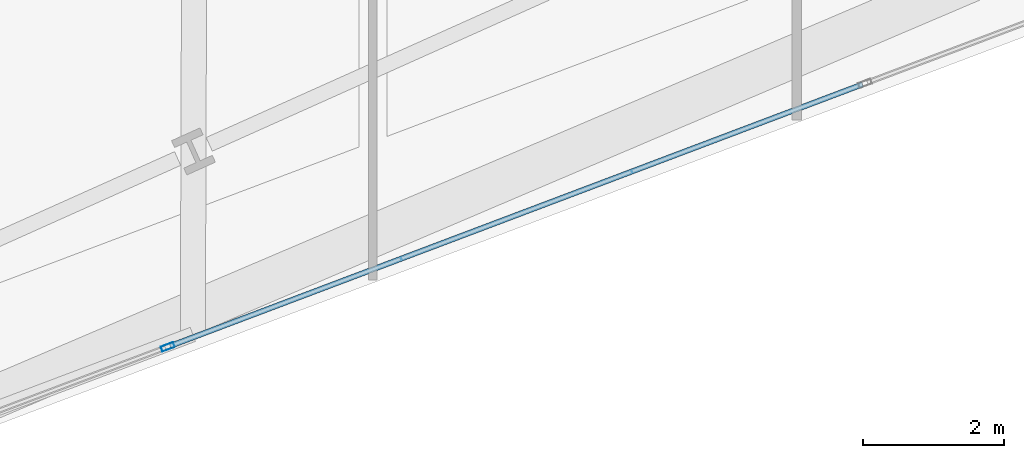
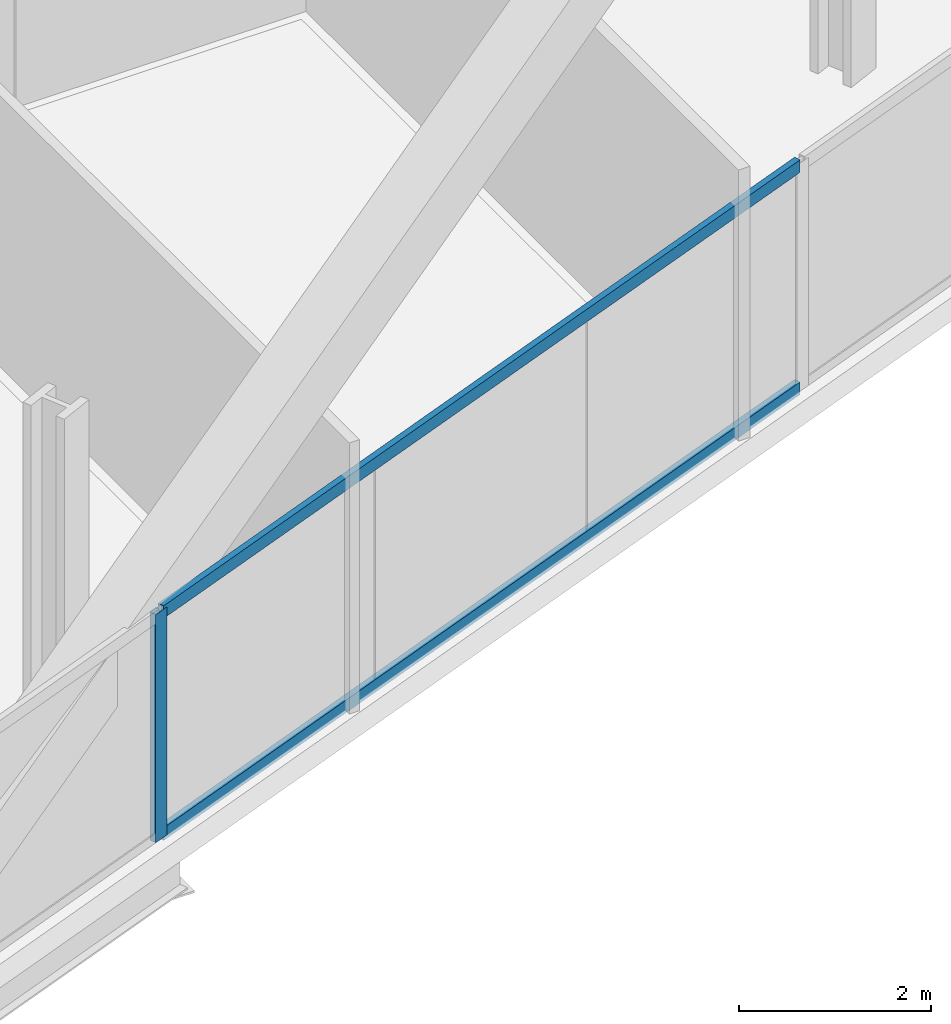
# One storey, part 9 of 37: 3 members, 1 element without a shape of its own.
"""IFC4 building model written with IfcOpenShell, lengths in metres."""

from ifc_helpers import new_model, si_unit, direction, frame, origin, origin_2d, place, context, subcontext, project, spatial, hollow_rectangle, extrude, material, material_profile, profile_set, type_object, element, aggregate, save


model = new_model("IFC4")

# Units and contexts
model_context = context("Model", 3, precision=1e-05, world=origin(), true_north=direction((0.0, 1.0)))
body_context = subcontext(model_context, "Body", "Model", "MODEL_VIEW")
ifc_project = project(units=[si_unit("LENGTHUNIT", "METRE"), si_unit("AREAUNIT", "SQUARE_METRE"), si_unit("VOLUMEUNIT", "CUBIC_METRE"), si_unit("PLANEANGLEUNIT", "RADIAN"), si_unit("MASSUNIT", "GRAM", prefix="KILO")], contexts=[model_context])

# Site, building, storey
site_placement = place(None, origin())
site = spatial("IfcSite", under=ifc_project, at=site_placement, CompositionType="ELEMENT")
building_placement = place(site_placement, origin())
building = spatial("IfcBuilding", under=site, at=building_placement, Name="Haldenkirk Collegiate Tower", CompositionType="ELEMENT")
storey_placement = place(building_placement, frame((0.0, 0.0, 97.949951171875)))
storey = spatial("IfcBuildingStorey", under=building, at=storey_placement, Name="L23", CompositionType="ELEMENT", Elevation=97.949951171875)

# Curtain wall, members
ifc_material = material(Name="Anodised architectural bronze aluminium", Category="aluminium")
curtain_wall_type = type_object("IfcCurtainWallType", Name="CW-SYS2-CONCAVE", PredefinedType="USERDEFINED", material=ifc_material)
curtain_wall_placement = place(storey_placement, origin())
curtain_wall = element("IfcCurtainWall", 1, at=curtain_wall_placement, inside=storey, type_object=curtain_wall_type, Name="L23 South concave recessed bronze-anodised curtain wall", ObjectType="UNITISED CURTAIN WALL", PredefinedType="USERDEFINED")
ifc_material_profile_1 = material_profile(ifc_material, hollow_rectangle(XDim=0.074951171875, YDim=0.18994140625, WallThickness=0.0048828125, at=origin_2d()), Name="CW-MUL-02")
ifc_profile_set_1 = profile_set([ifc_material_profile_1], Name="Anodised architectural bronze aluminium")
member_type_1 = type_object("IfcMemberType", Name="CW-MUL-02", PredefinedType="MULLION", material=ifc_profile_set_1)
member_1_placement = place(storey_placement, frame((44.596435546875, 3.25, 0.0), z_axis=(0.0, 0.0, 1.0), x_axis=(0.353476419489, -0.935443435417, 0.0)))
member_1 = element("IfcMember", 2, at=member_1_placement, type_object=member_type_1, Name="CW-02 mullion 3", PredefinedType="MULLION", context=body_context, shape_type="SweptSolid", body=[
    extrude(hollow_rectangle(XDim=0.074951171875, YDim=0.18994140625, WallThickness=0.0048828125, at=origin_2d()), origin(), (0.0, 0.0, 1.0), 2.901123046875),
])
ifc_material_profile_2 = material_profile(ifc_material, hollow_rectangle(XDim=0.074951171875, YDim=0.159912109375, WallThickness=0.0048828125, at=origin_2d()), Name="CW-TRN-02")
ifc_profile_set_2 = profile_set([ifc_material_profile_2], Name="Anodised architectural bronze aluminium")
member_type_2 = type_object("IfcMemberType", Name="CW-TRN-02", PredefinedType="USERDEFINED", material=ifc_profile_set_2)
member_2_placement = place(storey_placement, frame((54.430419921875, 6.966064453125, 0.03759765625), z_axis=(-0.935437330547, -0.353492575055, 0.0), x_axis=(0.353492575055, -0.935437330547, 0.0)))
member_2 = element("IfcMember", 3, at=member_2_placement, type_object=member_type_2, Name="CW-02 transom 2.1", ObjectType="TRANSOM", PredefinedType="USERDEFINED", context=body_context, shape_type="SweptSolid", body=[
    extrude(hollow_rectangle(XDim=0.074951171875, YDim=0.159912109375, WallThickness=0.0048828125, at=origin_2d()), origin(), (0.0, 0.0, 1.0), 10.47509765625),
])
member_3_placement = place(storey_placement, frame((54.430419921875, 6.966064453125, 2.863525390625), z_axis=(-0.935437330547, -0.353492575055, 0.0), x_axis=(0.353492575055, -0.935437330547, 0.0)))
member_3 = element("IfcMember", 4, at=member_3_placement, type_object=member_type_2, Name="CW-02 transom 2.2", ObjectType="TRANSOM", PredefinedType="USERDEFINED", context=body_context, shape_type="SweptSolid", body=[
    extrude(hollow_rectangle(XDim=0.074951171875, YDim=0.159912109375, WallThickness=0.0048828125, at=origin_2d()), origin(), (0.0, 0.0, 1.0), 10.47509765625),
])
aggregate(curtain_wall, [member_1, member_2, member_3])

save(model, "model.ifc")
